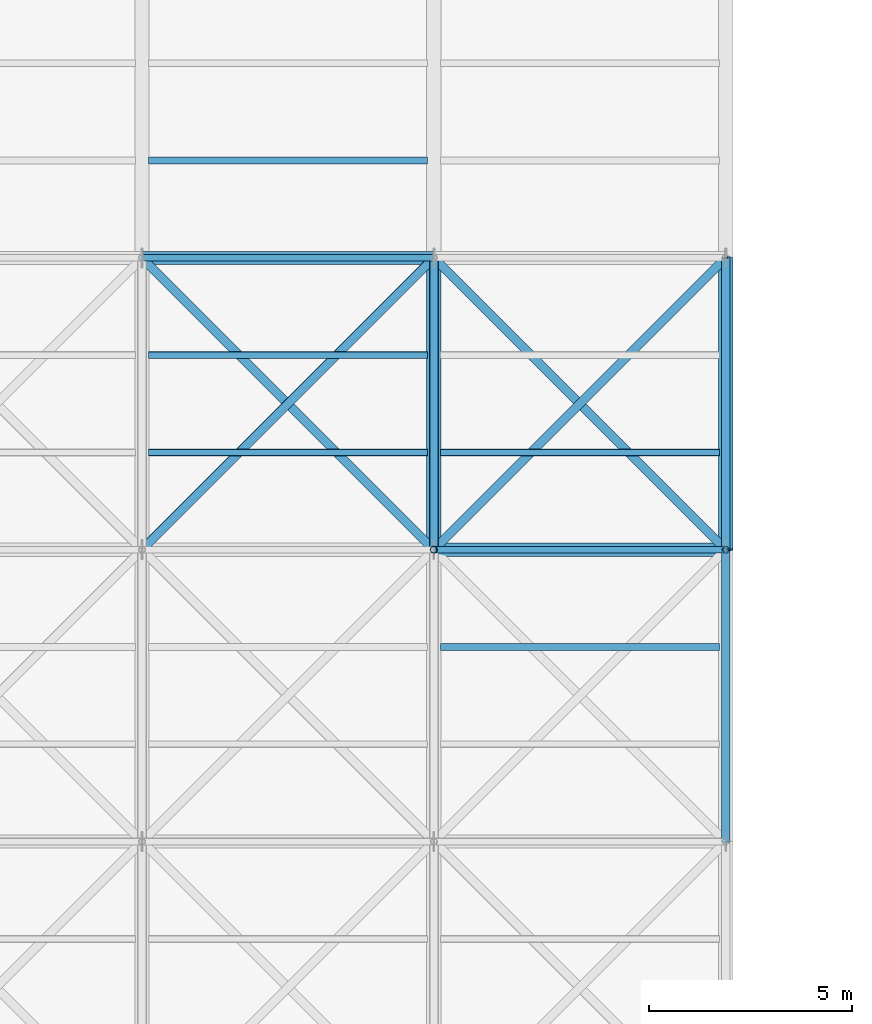
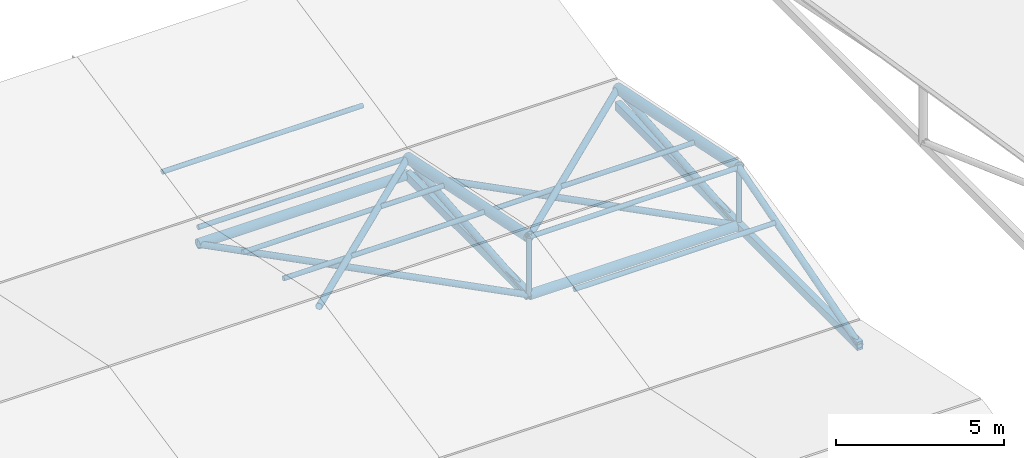
# One storey, part 37 of 72: 18 members, 5 beams.
"""IFC4 building model written with IfcOpenShell, lengths in metres."""

from ifc_helpers import new_model, si_unit, direction, frame, origin, origin_2d, place, context, subcontext, project, spatial, hollow_rectangle, hollow_circle, extrude, material, material_profile, profile_set, type_object, element, save


model = new_model("IFC4")

# Units and contexts
model_context = context("Model", 3, precision=1e-05, world=origin(), true_north=direction((0.0, 1.0)))
body_context = subcontext(model_context, "Body", "Model", "MODEL_VIEW")
ifc_project = project(units=[si_unit("LENGTHUNIT", "METRE"), si_unit("AREAUNIT", "SQUARE_METRE"), si_unit("VOLUMEUNIT", "CUBIC_METRE"), si_unit("PLANEANGLEUNIT", "RADIAN"), si_unit("MASSUNIT", "GRAM", prefix="KILO")], contexts=[model_context])

# Site, building, storey
site_placement = place(None, origin())
site = spatial("IfcSite", under=ifc_project, at=site_placement, CompositionType="ELEMENT")
building_placement = place(site_placement, origin())
building = spatial("IfcBuilding", under=site, at=building_placement, Name="Vaelcorin Mobility Hub", CompositionType="ELEMENT")
storey_placement = place(building_placement, frame((0.0, 0.0, 25.800048828125)))
storey = spatial("IfcBuildingStorey", under=building, at=storey_placement, Name="RF", CompositionType="ELEMENT", Elevation=25.800048828125)

# Members
ifc_material = material(Name="Steel ASTM A500 Grade C", Category="steel")
ifc_material_profile_1 = material_profile(ifc_material, hollow_circle(Radius=0.161865234375, WallThickness=0.0126953125, at=origin_2d()), Name="HSS12.750X0.500")
ifc_profile_set_1 = profile_set([ifc_material_profile_1], Name="Steel ASTM A500 Grade C")
member_type_1 = type_object("IfcMemberType", Name="SF-CHORD-12", PredefinedType="CHORD", material=ifc_profile_set_1)
for number, where, z_axis, x_axis, name in (
    (1, (100.800048828125, 112.800048828125, -2.10009765625), (1.0, 0.0, 0.0), (0.0, 1.0, 0.0), "Sports Truss Lower Tie Strut 10-4"),
    (2, (108.0, 105.60009765625, -2.10009765625), (1.0, 0.0, 0.0), (0.0, 1.0, 0.0), "Sports Truss Lower Tie Strut 11-3"),
):
    element("IfcMember", number, at=place(storey_placement, frame(where, z_axis=z_axis, x_axis=x_axis)), inside=storey, type_object=member_type_1, Name=name, PredefinedType="CHORD", context=body_context, shape_type="SweptSolid", body=[
        extrude(hollow_circle(Radius=0.161865234375, WallThickness=0.0126953125, at=origin_2d()), origin(), (0.0, 0.0, 1.0), 7.199951171875),
    ])
ifc_material_profile_2 = material_profile(ifc_material, hollow_circle(Radius=0.109619140625, WallThickness=0.009521484375, at=origin_2d()), Name="HSS8.625X0.375")
ifc_profile_set_2 = profile_set([ifc_material_profile_2], Name="Steel ASTM A500 Grade C")
member_type_2 = type_object("IfcMemberType", Name="SF-DIAG-8", PredefinedType="BRACE", material=ifc_profile_set_2)
member_1_placement = place(storey_placement, frame((100.800048828125, 105.60009765625, 0.0), z_axis=(0.699556744026, 0.699556744026, -0.145741976715), x_axis=(-0.707106781187, 0.707106781187, 0.0)))
element("IfcMember", 3, at=member_1_placement, inside=storey, type_object=member_type_2, Name="Sports Roof Space-Truss Plan Brace 10-4", PredefinedType="BRACE", context=body_context, shape_type="SweptSolid", body=[
    extrude(hollow_circle(Radius=0.109619140625, WallThickness=0.009521484375, at=origin_2d()), origin(), (0.0, 0.0, 1.0), 10.292236328125),
])
member_2_placement = place(storey_placement, frame((108.0, 105.60009765625, -2.10009765625), z_axis=(-0.707106781187, 0.707106781187, 0.0), x_axis=(-0.707106781187, -0.707106781187, 0.0)))
element("IfcMember", 4, at=member_2_placement, inside=storey, type_object=member_type_2, Name="Sports Truss Lower Plan Brace 10-4", PredefinedType="BRACE", context=body_context, shape_type="SweptSolid", body=[
    extrude(hollow_circle(Radius=0.109619140625, WallThickness=0.009521484375, at=origin_2d()), origin(), (0.0, 0.0, 1.0), 10.182373046875),
])
member_3_placement = place(storey_placement, frame((108.0, 105.60009765625, 0.0), z_axis=(0.699556744026, 0.699556744026, -0.145741976715), x_axis=(-0.707106781187, 0.707106781187, 0.0)))
element("IfcMember", 5, at=member_3_placement, inside=storey, type_object=member_type_2, Name="Sports Roof Space-Truss Plan Brace 11-4", PredefinedType="BRACE", context=body_context, shape_type="SweptSolid", body=[
    extrude(hollow_circle(Radius=0.109619140625, WallThickness=0.009521484375, at=origin_2d()), origin(), (0.0, 0.0, 1.0), 10.292236328125),
])
member_4_placement = place(storey_placement, frame((115.199951171875, 105.60009765625, -2.10009765625), z_axis=(-0.707106781187, 0.707106781187, 0.0), x_axis=(-0.707106781187, -0.707106781187, 0.0)))
element("IfcMember", 6, at=member_4_placement, inside=storey, type_object=member_type_2, Name="Sports Truss Lower Plan Brace 11-4", PredefinedType="BRACE", context=body_context, shape_type="SweptSolid", body=[
    extrude(hollow_circle(Radius=0.109619140625, WallThickness=0.009521484375, at=origin_2d()), origin(), (0.0, 0.0, 1.0), 10.182373046875),
])
ifc_material_profile_3 = material_profile(ifc_material, hollow_circle(Radius=0.084228515625, WallThickness=0.0078125, at=origin_2d()), Name="HSS6.625X0.312")
ifc_profile_set_3 = profile_set([ifc_material_profile_3], Name="Steel ASTM A500 Grade C")
member_type_3 = type_object("IfcMemberType", Name="SF-PURL-6", PredefinedType="PURLIN", material=ifc_profile_set_3)
member_5_placement = place(storey_placement, frame((100.800048828125, 112.800048828125, -1.5), z_axis=(1.0, 0.0, 0.0), x_axis=(0.0, 1.0, 0.0)))
element("IfcMember", 7, at=member_5_placement, inside=storey, type_object=member_type_3, Name="Sports Pavilion Roof Purlin 10-4", PredefinedType="PURLIN", context=body_context, shape_type="SweptSolid", body=[
    extrude(hollow_circle(Radius=0.084228515625, WallThickness=0.0078125, at=origin_2d()), origin(), (0.0, 0.0, 1.0), 7.199951171875),
])
for number, where, z_axis, x_axis, name in (
    (8, (100.9599609375, 108.0, -0.5), (1.0, 0.0, 0.0), (0.0, 1.0, 0.0), "Sports Roof Secondary Purlin 10-4-1"),
    (9, (100.9599609375, 110.39990234375, -1.0), (1.0, 0.0, 0.0), (0.0, 1.0, 0.0), "Sports Roof Secondary Purlin 10-4-2"),
    (10, (100.9599609375, 115.199951171875, -1.0), (1.0, 0.0, 0.0), (0.0, 1.0, 0.0), "Sports Roof Secondary Purlin 10-5-1"),
):
    element("IfcMember", number, at=place(storey_placement, frame(where, z_axis=z_axis, x_axis=x_axis)), inside=storey, type_object=member_type_3, Name=name, PredefinedType="PURLIN", context=body_context, shape_type="SweptSolid", body=[
        extrude(hollow_circle(Radius=0.084228515625, WallThickness=0.0078125, at=origin_2d()), origin(), (0.0, 0.0, 1.0), 6.880126953125),
    ])
member_6_placement = place(storey_placement, frame((108.0, 105.60009765625, 0.0), z_axis=(1.0, 0.0, 0.0), x_axis=(0.0, 1.0, 0.0)))
element("IfcMember", 11, at=member_6_placement, inside=storey, type_object=member_type_3, Name="Sports Pavilion Roof Purlin 11-3", PredefinedType="PURLIN", context=body_context, shape_type="SweptSolid", body=[
    extrude(hollow_circle(Radius=0.084228515625, WallThickness=0.0078125, at=origin_2d()), origin(), (0.0, 0.0, 1.0), 7.199951171875),
])
for number, where, z_axis, x_axis, name in (
    (12, (108.159912109375, 103.199951171875, -0.5), (1.0, 0.0, 0.0), (0.0, 1.0, 0.0), "Sports Roof Secondary Purlin 11-3-2"),
    (13, (108.159912109375, 108.0, -0.5), (1.0, 0.0, 0.0), (0.0, 1.0, 0.0), "Sports Roof Secondary Purlin 11-4-1"),
):
    element("IfcMember", number, at=place(storey_placement, frame(where, z_axis=z_axis, x_axis=x_axis)), inside=storey, type_object=member_type_3, Name=name, PredefinedType="PURLIN", context=body_context, shape_type="SweptSolid", body=[
        extrude(hollow_circle(Radius=0.084228515625, WallThickness=0.0078125, at=origin_2d()), origin(), (0.0, 0.0, 1.0), 6.880126953125),
    ])

# Beams
ifc_material_profile_4 = material_profile(ifc_material, hollow_circle(Radius=0.177734375, WallThickness=0.0126953125, at=origin_2d()), Name="HSS14.000X0.500")
ifc_profile_set_4 = profile_set([ifc_material_profile_4], Name="Steel ASTM A500 Grade C")
beam_type_1 = type_object("IfcBeamType", Name="TR-CHORD-14", PredefinedType="BEAM", material=ifc_profile_set_4)
for number, where, z_axis, x_axis, name in (
    (14, (108.0, 105.60009765625, 0.0), (0.0, 0.978980143565, -0.203955579738), (-1.0, 0.0, 0.0), "Sports Pavilion Roof Truss Upper Chord 10-4"),
    (15, (115.199951171875, 105.60009765625, 0.0), (0.0, 0.978980143565, -0.203955579738), (-1.0, 0.0, 0.0), "Sports Pavilion Roof Truss Upper Chord 11-4"),
):
    element("IfcBeam", number, at=place(storey_placement, frame(where, z_axis=z_axis, x_axis=x_axis)), inside=storey, type_object=beam_type_1, Name=name, PredefinedType="BEAM", context=body_context, shape_type="SweptSolid", body=[
        extrude(hollow_circle(Radius=0.177734375, WallThickness=0.0126953125, at=origin_2d()), origin(), (0.0, 0.0, 1.0), 7.3544921875),
    ])
ifc_material_profile_5 = material_profile(ifc_material, hollow_rectangle(XDim=0.203125, YDim=0.3046875, WallThickness=0.01171875, at=origin_2d()), Name="HSS12X8X0.500")
ifc_profile_set_5 = profile_set([ifc_material_profile_5], Name="Steel ASTM A500 Grade C")
beam_type_2 = type_object("IfcBeamType", Name="TR-CHORD-RHS12", PredefinedType="BEAM", material=ifc_profile_set_5)
beam_1_placement = place(storey_placement, frame((108.0, 105.60009765625, -2.10009765625), z_axis=(0.0, 1.0, 0.0), x_axis=(-1.0, 0.0, 0.0)))
element("IfcBeam", 16, at=beam_1_placement, inside=storey, type_object=beam_type_2, Name="Sports Pavilion Roof Truss Bottom Chord 10-4", PredefinedType="BEAM", context=body_context, shape_type="SweptSolid", body=[
    extrude(hollow_rectangle(XDim=0.203125, YDim=0.3046875, WallThickness=0.01171875, at=origin_2d()), origin(), (0.0, 0.0, 1.0), 7.199951171875),
])
beam_2_placement = place(storey_placement, frame((115.199951171875, 98.39990234375, -2.10009765625), z_axis=(0.0, 1.0, 0.0), x_axis=(-1.0, 0.0, 0.0)))
element("IfcBeam", 17, at=beam_2_placement, inside=storey, type_object=beam_type_2, Name="Sports Pavilion Roof Truss Bottom Chord 11-3", PredefinedType="BEAM", context=body_context, shape_type="SweptSolid", body=[
    extrude(hollow_rectangle(XDim=0.203125, YDim=0.3046875, WallThickness=0.01171875, at=origin_2d()), origin(), (0.0, 0.0, 1.0), 7.2001953125),
])
beam_3_placement = place(storey_placement, frame((115.199951171875, 105.60009765625, -2.10009765625), z_axis=(0.0, 1.0, 0.0), x_axis=(-1.0, 0.0, 0.0)))
element("IfcBeam", 18, at=beam_3_placement, inside=storey, type_object=beam_type_2, Name="Sports Pavilion Roof Truss Bottom Chord 11-4", PredefinedType="BEAM", context=body_context, shape_type="SweptSolid", body=[
    extrude(hollow_rectangle(XDim=0.203125, YDim=0.3046875, WallThickness=0.01171875, at=origin_2d()), origin(), (0.0, 0.0, 1.0), 7.199951171875),
])

# Members
ifc_material_profile_6 = material_profile(ifc_material, hollow_circle(Radius=0.084228515625, WallThickness=0.0078125, at=origin_2d()), Name="HSS6.625X0.312")
ifc_profile_set_6 = profile_set([ifc_material_profile_6], Name="Steel ASTM A500 Grade C")
member_type_4 = type_object("IfcMemberType", Name="TR-POST-6", PredefinedType="POST", material=ifc_profile_set_6)
for number, where, z_axis, x_axis, name in (
    (19, (108.0, 105.60009765625, -2.10009765625), (0.0, 0.0, 1.0), (1.0, 0.0, 0.0), "Sports Pavilion Roof Truss Post 10-3"),
    (20, (115.199951171875, 105.60009765625, -2.10009765625), (0.0, 0.0, 1.0), (1.0, 0.0, 0.0), "Sports Pavilion Roof Truss Post 11-3"),
):
    element("IfcMember", number, at=place(storey_placement, frame(where, z_axis=z_axis, x_axis=x_axis)), inside=storey, type_object=member_type_4, Name=name, PredefinedType="POST", context=body_context, shape_type="SweptSolid", body=[
        extrude(hollow_circle(Radius=0.084228515625, WallThickness=0.0078125, at=origin_2d()), origin(), (0.0, 0.0, 1.0), 2.10009765625),
    ])
ifc_material_profile_7 = material_profile(ifc_material, hollow_circle(Radius=0.109619140625, WallThickness=0.009521484375, at=origin_2d()), Name="HSS8.625X0.375")
ifc_profile_set_7 = profile_set([ifc_material_profile_7], Name="Steel ASTM A500 Grade C")
member_type_5 = type_object("IfcMemberType", Name="TR-WEB-8", PredefinedType="BRACE", material=ifc_profile_set_7)
member_7_placement = place(storey_placement, frame((108.0, 105.60009765625, -2.10009765625), z_axis=(0.0, 0.996544592923, 0.083059462528), x_axis=(-1.0, 0.0, 0.0)))
element("IfcMember", 21, at=member_7_placement, inside=storey, type_object=member_type_5, Name="Sports Pavilion Roof Truss Diagonal 10-4", PredefinedType="BRACE", context=body_context, shape_type="SweptSolid", body=[
    extrude(hollow_circle(Radius=0.109619140625, WallThickness=0.009521484375, at=origin_2d()), origin(), (0.0, 0.0, 1.0), 7.224853515625),
])
member_8_placement = place(storey_placement, frame((115.199951171875, 98.39990234375, -2.10009765625), z_axis=(0.0, 0.959998541695, 0.280004999853), x_axis=(-1.0, 0.0, 0.0)))
element("IfcMember", 22, at=member_8_placement, inside=storey, type_object=member_type_5, Name="Sports Pavilion Roof Truss Diagonal 11-3", PredefinedType="BRACE", context=body_context, shape_type="SweptSolid", body=[
    extrude(hollow_circle(Radius=0.109619140625, WallThickness=0.009521484375, at=origin_2d()), origin(), (0.0, 0.0, 1.0), 7.500244140625),
])
member_9_placement = place(storey_placement, frame((115.199951171875, 105.60009765625, -2.10009765625), z_axis=(0.0, 0.996544592923, 0.083059462528), x_axis=(-1.0, 0.0, 0.0)))
element("IfcMember", 23, at=member_9_placement, inside=storey, type_object=member_type_5, Name="Sports Pavilion Roof Truss Diagonal 11-4", PredefinedType="BRACE", context=body_context, shape_type="SweptSolid", body=[
    extrude(hollow_circle(Radius=0.109619140625, WallThickness=0.009521484375, at=origin_2d()), origin(), (0.0, 0.0, 1.0), 7.224853515625),
])

save(model, "model.ifc")
